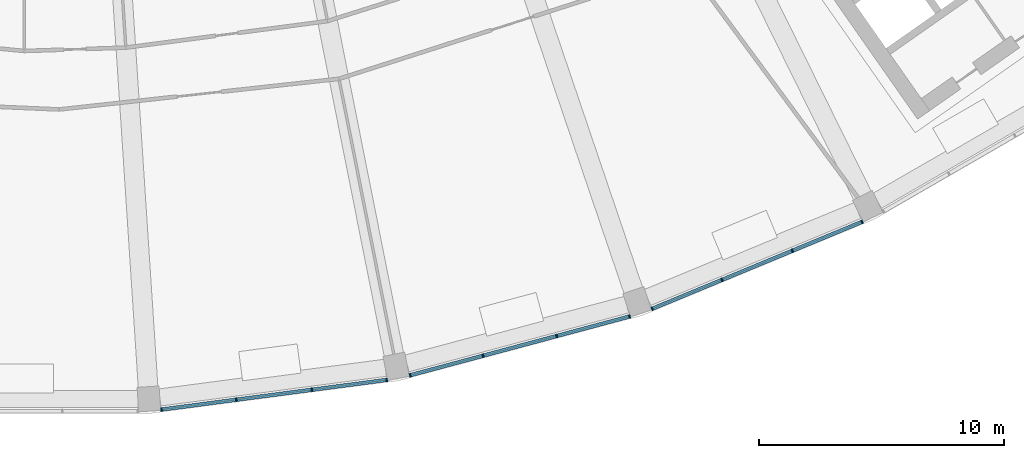
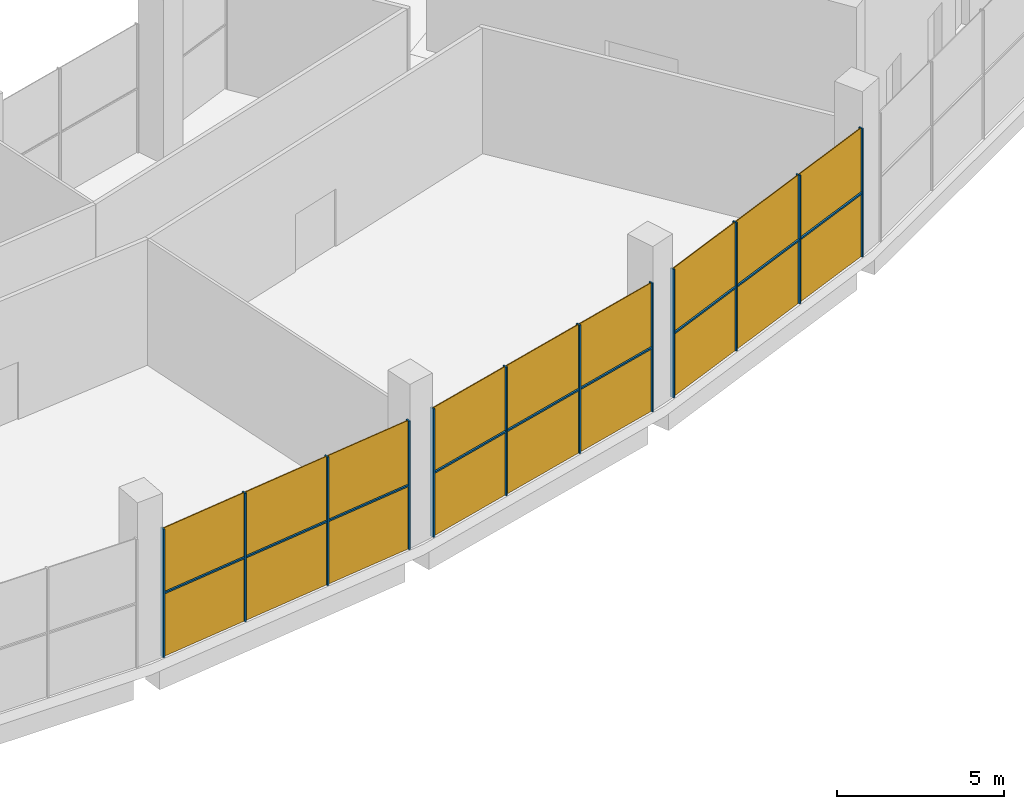
# One storey, part 32 of 41: 21 members, 3 curtain walls.
"""IFC4 building model written with IfcOpenShell, lengths in metres."""

from ifc_helpers import new_model, si_unit, direction, frame, origin, origin_2d, place, context, subcontext, project, spatial, rectangle, extrude, material, material_profile, profile_set, type_object, element, aggregate, save


model = new_model("IFC4")

# Units and contexts
model_context = context("Model", 3, precision=1e-05, world=origin(), true_north=direction((0.0, 1.0)))
body_context = subcontext(model_context, "Body", "Model", "MODEL_VIEW")
ifc_project = project(units=[si_unit("LENGTHUNIT", "METRE"), si_unit("AREAUNIT", "SQUARE_METRE"), si_unit("VOLUMEUNIT", "CUBIC_METRE"), si_unit("PLANEANGLEUNIT", "RADIAN"), si_unit("MASSUNIT", "GRAM", prefix="KILO")], contexts=[model_context])

# Member
ifc_material = material(Name="Aluminium 6063-T6 anodised", Category="aluminium")
ifc_material_profile_1 = material_profile(ifc_material, rectangle(XDim=0.14990234375, YDim=0.050048828125, at=origin_2d()))
ifc_profile_set_1 = profile_set([ifc_material_profile_1], Name="Aluminium 6063-T6 anodised")
member_type_1 = type_object("IfcMemberType", Name="Mullion 50 x 150 aluminium, frameless", PredefinedType="MULLION", material=ifc_profile_set_1)
site_placement = place(None, origin())
building_placement = place(site_placement, origin())
storey_placement = place(building_placement, frame((0.0, 0.0, 284.699951171875)))
member_1_placement = place(storey_placement, frame((5.59716796875, -78.01904296875, 0.0), z_axis=(0.0, 0.0, 1.0), x_axis=(-0.13052619222, 0.991444861374, 0.0)))
member_1 = element("IfcMember", 1, at=member_1_placement, type_object=member_type_1, Name="e-cw3-L69-out08/M00", PredefinedType="MULLION", context=body_context, shape_type="SweptSolid", body=[
    extrude(rectangle(XDim=0.14990234375, YDim=0.050048828125, at=origin_2d()), origin(), (0.0, 0.0, 1.0), 4.699951171875),
])

member_2_placement = place(storey_placement, frame((8.65185546875, -77.616943359375, 0.0), z_axis=(0.0, 0.0, 1.0), x_axis=(-0.13052619222, 0.991444861374, 0.0)))
member_2 = element("IfcMember", 2, at=member_2_placement, type_object=member_type_1, Name="e-cw3-L69-out08/M01", PredefinedType="MULLION", context=body_context, shape_type="SweptSolid", body=[
    extrude(rectangle(XDim=0.14990234375, YDim=0.050048828125, at=origin_2d()), origin(), (0.0, 0.0, 1.0), 4.699951171875),
])

member_3_placement = place(storey_placement, frame((11.731689453125, -77.21142578125, 0.0), z_axis=(0.0, 0.0, 1.0), x_axis=(-0.13052619222, 0.991444861374, 0.0)))
member_3 = element("IfcMember", 3, at=member_3_placement, type_object=member_type_1, Name="e-cw3-L69-out08/M02", PredefinedType="MULLION", context=body_context, shape_type="SweptSolid", body=[
    extrude(rectangle(XDim=0.14990234375, YDim=0.050048828125, at=origin_2d()), origin(), (0.0, 0.0, 1.0), 4.699951171875),
])

member_4_placement = place(storey_placement, frame((14.786376953125, -76.809326171875, 0.0), z_axis=(0.0, 0.0, 1.0), x_axis=(-0.13052619222, 0.991444861374, 0.0)))
member_4 = element("IfcMember", 4, at=member_4_placement, type_object=member_type_1, Name="e-cw3-L69-out08/M03", PredefinedType="MULLION", context=body_context, shape_type="SweptSolid", body=[
    extrude(rectangle(XDim=0.14990234375, YDim=0.050048828125, at=origin_2d()), origin(), (0.0, 0.0, 1.0), 4.699951171875),
])

member_5_placement = place(storey_placement, frame((15.732666015625, -76.62109375, 0.0), z_axis=(0.0, 0.0, 1.0), x_axis=(-0.258819045103, 0.965925826289, 0.0)))
member_5 = element("IfcMember", 5, at=member_5_placement, type_object=member_type_1, Name="e-cw3-L69-out09/M00", PredefinedType="MULLION", context=body_context, shape_type="SweptSolid", body=[
    extrude(rectangle(XDim=0.14990234375, YDim=0.050048828125, at=origin_2d()), origin(), (0.0, 0.0, 1.0), 4.699951171875),
])

member_6_placement = place(storey_placement, frame((18.708984375, -75.82373046875, 0.0), z_axis=(0.0, 0.0, 1.0), x_axis=(-0.258819045103, 0.965925826289, 0.0)))
member_6 = element("IfcMember", 6, at=member_6_placement, type_object=member_type_1, Name="e-cw3-L69-out09/M01", PredefinedType="MULLION", context=body_context, shape_type="SweptSolid", body=[
    extrude(rectangle(XDim=0.14990234375, YDim=0.050048828125, at=origin_2d()), origin(), (0.0, 0.0, 1.0), 4.699951171875),
])

member_7_placement = place(storey_placement, frame((21.70947265625, -75.019775390625, 0.0), z_axis=(0.0, 0.0, 1.0), x_axis=(-0.258819045103, 0.965925826289, 0.0)))
member_7 = element("IfcMember", 7, at=member_7_placement, type_object=member_type_1, Name="e-cw3-L69-out09/M02", PredefinedType="MULLION", context=body_context, shape_type="SweptSolid", body=[
    extrude(rectangle(XDim=0.14990234375, YDim=0.050048828125, at=origin_2d()), origin(), (0.0, 0.0, 1.0), 4.699951171875),
])

member_8_placement = place(storey_placement, frame((24.685546875, -74.22216796875, 0.0), z_axis=(0.0, 0.0, 1.0), x_axis=(-0.258819045103, 0.965925826289, 0.0)))
member_8 = element("IfcMember", 8, at=member_8_placement, type_object=member_type_1, Name="e-cw3-L69-out09/M03", PredefinedType="MULLION", context=body_context, shape_type="SweptSolid", body=[
    extrude(rectangle(XDim=0.14990234375, YDim=0.050048828125, at=origin_2d()), origin(), (0.0, 0.0, 1.0), 4.699951171875),
])

member_9_placement = place(storey_placement, frame((25.59912109375, -73.912109375, 0.0), z_axis=(0.0, 0.0, 1.0), x_axis=(-0.382683432365, 0.923879532511, 0.0)))
member_9 = element("IfcMember", 9, at=member_9_placement, type_object=member_type_1, Name="e-cw3-L69-out10/M00", PredefinedType="MULLION", context=body_context, shape_type="SweptSolid", body=[
    extrude(rectangle(XDim=0.14990234375, YDim=0.050048828125, at=origin_2d()), origin(), (0.0, 0.0, 1.0), 4.699951171875),
])

member_10_placement = place(storey_placement, frame((28.44580078125, -72.73291015625, 0.0), z_axis=(0.0, 0.0, 1.0), x_axis=(-0.382683432365, 0.923879532511, 0.0)))
member_10 = element("IfcMember", 10, at=member_10_placement, type_object=member_type_1, Name="e-cw3-L69-out10/M01", PredefinedType="MULLION", context=body_context, shape_type="SweptSolid", body=[
    extrude(rectangle(XDim=0.14990234375, YDim=0.050048828125, at=origin_2d()), origin(), (0.0, 0.0, 1.0), 4.699951171875),
])

member_11_placement = place(storey_placement, frame((31.315673828125, -71.544189453125, 0.0), z_axis=(0.0, 0.0, 1.0), x_axis=(-0.382683432365, 0.923879532511, 0.0)))
member_11 = element("IfcMember", 11, at=member_11_placement, type_object=member_type_1, Name="e-cw3-L69-out10/M02", PredefinedType="MULLION", context=body_context, shape_type="SweptSolid", body=[
    extrude(rectangle(XDim=0.14990234375, YDim=0.050048828125, at=origin_2d()), origin(), (0.0, 0.0, 1.0), 4.699951171875),
])

member_12_placement = place(storey_placement, frame((34.162353515625, -70.364990234375, 0.0), z_axis=(0.0, 0.0, 1.0), x_axis=(-0.382683432365, 0.923879532511, 0.0)))
member_12 = element("IfcMember", 12, at=member_12_placement, type_object=member_type_1, Name="e-cw3-L69-out10/M03", PredefinedType="MULLION", context=body_context, shape_type="SweptSolid", body=[
    extrude(rectangle(XDim=0.14990234375, YDim=0.050048828125, at=origin_2d()), origin(), (0.0, 0.0, 1.0), 4.699951171875),
])

ifc_material_profile_2 = material_profile(ifc_material, rectangle(XDim=0.14990234375, YDim=0.050048828125, at=origin_2d()))
ifc_profile_set_2 = profile_set([ifc_material_profile_2], Name="Aluminium 6063-T6 anodised")
member_type_2 = type_object("IfcMemberType", Name="Transom 50 x 150 aluminium, frameless", PredefinedType="USERDEFINED", material=ifc_profile_set_2)
member_13_placement = place(storey_placement, frame((5.621826171875, -78.015869140625, 2.35009765625), z_axis=(0.991441132243, 0.130554514652, 0.0), x_axis=(-0.130554514652, 0.991441132243, 0.0)))
member_13 = element("IfcMember", 13, at=member_13_placement, type_object=member_type_2, Name="e-cw3-L69-out08/T00", ObjectType="TRANSOM", PredefinedType="USERDEFINED", context=body_context, shape_type="SweptSolid", body=[
    extrude(rectangle(XDim=0.14990234375, YDim=0.050048828125, at=origin_2d()), origin(), (0.0, 0.0, 1.0), 3.03125),
])

member_14_placement = place(storey_placement, frame((8.6767578125, -77.61376953125, 2.35009765625), z_axis=(0.991444232282, 0.130530970554, 0.0), x_axis=(-0.130530970554, 0.991444232282, 0.0)))
member_14 = element("IfcMember", 14, at=member_14_placement, type_object=member_type_2, Name="e-cw3-L69-out08/T01", ObjectType="TRANSOM", PredefinedType="USERDEFINED", context=body_context, shape_type="SweptSolid", body=[
    extrude(rectangle(XDim=0.14990234375, YDim=0.050048828125, at=origin_2d()), origin(), (0.0, 0.0, 1.0), 3.05615234375),
])

member_15_placement = place(storey_placement, frame((11.75634765625, -77.208251953125, 2.35009765625), z_axis=(0.991441132243, 0.130554514652, 0.0), x_axis=(-0.130554514652, 0.991441132243, 0.0)))
member_15 = element("IfcMember", 15, at=member_15_placement, type_object=member_type_2, Name="e-cw3-L69-out08/T02", ObjectType="TRANSOM", PredefinedType="USERDEFINED", context=body_context, shape_type="SweptSolid", body=[
    extrude(rectangle(XDim=0.14990234375, YDim=0.050048828125, at=origin_2d()), origin(), (0.0, 0.0, 1.0), 3.03125),
])

member_16_placement = place(storey_placement, frame((15.7568359375, -76.61474609375, 2.35009765625), z_axis=(0.965916053379, 0.258855515347, 0.0), x_axis=(-0.258855515347, 0.965916053379, 0.0)))
member_16 = element("IfcMember", 16, at=member_16_placement, type_object=member_type_2, Name="e-cw3-L69-out09/T00", ObjectType="TRANSOM", PredefinedType="USERDEFINED", context=body_context, shape_type="SweptSolid", body=[
    extrude(rectangle(XDim=0.14990234375, YDim=0.050048828125, at=origin_2d()), origin(), (0.0, 0.0, 1.0), 3.03125),
])

member_17_placement = place(storey_placement, frame((18.733154296875, -75.817138671875, 2.35009765625), z_axis=(0.965926657748, 0.258815942036, 0.0), x_axis=(-0.258815942036, 0.965926657748, 0.0)))
member_17 = element("IfcMember", 17, at=member_17_placement, type_object=member_type_2, Name="e-cw3-L69-out09/T01", ObjectType="TRANSOM", PredefinedType="USERDEFINED", context=body_context, shape_type="SweptSolid", body=[
    extrude(rectangle(XDim=0.14990234375, YDim=0.050048828125, at=origin_2d()), origin(), (0.0, 0.0, 1.0), 3.056396484375),
])

member_18_placement = place(storey_placement, frame((21.7333984375, -75.01318359375, 2.35009765625), z_axis=(0.965936188505, 0.258780369688, 0.0), x_axis=(-0.258780369688, 0.965936188505, 0.0)))
member_18 = element("IfcMember", 18, at=member_18_placement, type_object=member_type_2, Name="e-cw3-L69-out09/T02", ObjectType="TRANSOM", PredefinedType="USERDEFINED", context=body_context, shape_type="SweptSolid", body=[
    extrude(rectangle(XDim=0.14990234375, YDim=0.050048828125, at=origin_2d()), origin(), (0.0, 0.0, 1.0), 3.03125),
])

member_19_placement = place(storey_placement, frame((25.622314453125, -73.902587890625, 2.35009765625), z_axis=(0.923863693261, 0.38272166946, 0.0), x_axis=(-0.38272166946, 0.923863693261, 0.0)))
member_19 = element("IfcMember", 19, at=member_19_placement, type_object=member_type_2, Name="e-cw3-L69-out10/T00", ObjectType="TRANSOM", PredefinedType="USERDEFINED", context=body_context, shape_type="SweptSolid", body=[
    extrude(rectangle(XDim=0.14990234375, YDim=0.050048828125, at=origin_2d()), origin(), (0.0, 0.0, 1.0), 3.03125),
])

member_20_placement = place(storey_placement, frame((28.468994140625, -72.723388671875, 2.35009765625), z_axis=(0.923862016386, 0.382725717294, 0.0), x_axis=(-0.382725717294, 0.923862016386, 0.0)))
member_20 = element("IfcMember", 20, at=member_20_placement, type_object=member_type_2, Name="e-cw3-L69-out10/T01", ObjectType="TRANSOM", PredefinedType="USERDEFINED", context=body_context, shape_type="SweptSolid", body=[
    extrude(rectangle(XDim=0.14990234375, YDim=0.050048828125, at=origin_2d()), origin(), (0.0, 0.0, 1.0), 3.05615234375),
])

member_21_placement = place(storey_placement, frame((31.3388671875, -71.53466796875, 2.35009765625), z_axis=(0.923880374326, 0.382681400037, 0.0), x_axis=(-0.382681400037, 0.923880374326, 0.0)))
member_21 = element("IfcMember", 21, at=member_21_placement, type_object=member_type_2, Name="e-cw3-L69-out10/T02", ObjectType="TRANSOM", PredefinedType="USERDEFINED", context=body_context, shape_type="SweptSolid", body=[
    extrude(rectangle(XDim=0.14990234375, YDim=0.050048828125, at=origin_2d()), origin(), (0.0, 0.0, 1.0), 3.031005859375),
])

# Site, building, storey
site = spatial("IfcSite", under=ifc_project, at=site_placement, CompositionType="ELEMENT")
building = spatial("IfcBuilding", under=site, at=building_placement, Name="Qamariyya Broadcast Tower", CompositionType="ELEMENT")
storey = spatial("IfcBuildingStorey", under=building, at=storey_placement, Name="L69", CompositionType="ELEMENT", Elevation=284.699951171875)

# Curtain wall
curtain_wall_type = type_object("IfcCurtainWallType", Name="Observation deck frameless glazing wall", PredefinedType="NOTDEFINED", material=ifc_material)
curtain_wall_1_placement = place(storey_placement, origin())
curtain_wall_1 = element("IfcCurtainWall", 22, at=curtain_wall_1_placement, inside=storey, type_object=curtain_wall_type, Name="e-cw3-L69-out08", PredefinedType="NOTDEFINED", context=body_context, shape_type="SweptSolid", body=[
    extrude(rectangle(XDim=3.03125, YDim=0.031982421875, at=origin_2d()), frame((7.12451171875, -77.818115234375, 0.0), x_axis=(0.991445286748, 0.130522961144, 0.0)), (0.0, 0.0, 1.0), 2.324951171875),
    extrude(rectangle(XDim=3.03125, YDim=0.031982421875, at=origin_2d()), frame((7.12451171875, -77.818115234375, 2.375), x_axis=(0.991445286748, 0.130522961144, 0.0)), (0.0, 0.0, 1.0), 2.324951171875),
    extrude(rectangle(XDim=3.05615234375, YDim=0.031982421875, at=origin_2d()), frame((10.19189453125, -77.414306640625, 0.0), x_axis=(0.991445286748, 0.130522961144, 0.0)), (0.0, 0.0, 1.0), 2.324951171875),
    extrude(rectangle(XDim=3.05615234375, YDim=0.031982421875, at=origin_2d()), frame((10.19189453125, -77.414306640625, 2.375), x_axis=(0.991445286748, 0.130522961144, 0.0)), (0.0, 0.0, 1.0), 2.324951171875),
    extrude(rectangle(XDim=3.03125, YDim=0.031982421875, at=origin_2d()), frame((13.259033203125, -77.010498046875, 0.0), x_axis=(0.991445286748, 0.130522961144, 0.0)), (0.0, 0.0, 1.0), 2.324951171875),
    extrude(rectangle(XDim=3.03125, YDim=0.031982421875, at=origin_2d()), frame((13.259033203125, -77.010498046875, 2.375), x_axis=(0.991445286748, 0.130522961144, 0.0)), (0.0, 0.0, 1.0), 2.324951171875),
])

aggregate(curtain_wall_1, [member_1, member_2, member_3, member_4, member_13, member_14, member_15])

curtain_wall_2_placement = place(storey_placement, origin())
curtain_wall_2 = element("IfcCurtainWall", 23, at=curtain_wall_2_placement, inside=storey, type_object=curtain_wall_type, Name="e-cw3-L69-out09", PredefinedType="NOTDEFINED", context=body_context, shape_type="SweptSolid", body=[
    extrude(rectangle(XDim=3.03125, YDim=0.031982421875, at=origin_2d()), frame((17.220703125, -76.222412109375, 0.0), x_axis=(0.965925949265, 0.258818586151, 0.0)), (0.0, 0.0, 1.0), 2.324951171875),
    extrude(rectangle(XDim=3.03125, YDim=0.031982421875, at=origin_2d()), frame((17.220703125, -76.222412109375, 2.375), x_axis=(0.965925949265, 0.258818586151, 0.0)), (0.0, 0.0, 1.0), 2.324951171875),
    extrude(rectangle(XDim=3.05615234375, YDim=0.031982421875, at=origin_2d()), frame((20.208984375, -75.421875, 0.0), x_axis=(0.965925949265, 0.258818586151, 0.0)), (0.0, 0.0, 1.0), 2.324951171875),
    extrude(rectangle(XDim=3.05615234375, YDim=0.031982421875, at=origin_2d()), frame((20.208984375, -75.421875, 2.375), x_axis=(0.965925949265, 0.258818586151, 0.0)), (0.0, 0.0, 1.0), 2.324951171875),
    extrude(rectangle(XDim=3.03125, YDim=0.031982421875, at=origin_2d()), frame((23.197509765625, -74.62109375, 0.0), x_axis=(0.965925949265, 0.258818586151, 0.0)), (0.0, 0.0, 1.0), 2.324951171875),
    extrude(rectangle(XDim=3.03125, YDim=0.031982421875, at=origin_2d()), frame((23.197509765625, -74.62109375, 2.375), x_axis=(0.965925949265, 0.258818586151, 0.0)), (0.0, 0.0, 1.0), 2.324951171875),
])

aggregate(curtain_wall_2, [member_5, member_6, member_7, member_8, member_16, member_17, member_18])

curtain_wall_3_placement = place(storey_placement, origin())
curtain_wall_3 = element("IfcCurtainWall", 24, at=curtain_wall_3_placement, inside=storey, type_object=curtain_wall_type, Name="e-cw3-L69-out10", PredefinedType="NOTDEFINED", context=body_context, shape_type="SweptSolid", body=[
    extrude(rectangle(XDim=3.03125, YDim=0.031982421875, at=origin_2d()), frame((27.022705078125, -73.322509765625, 0.0), x_axis=(0.923877930643, 0.382687299595, 0.0)), (0.0, 0.0, 1.0), 2.324951171875),
    extrude(rectangle(XDim=3.03125, YDim=0.031982421875, at=origin_2d()), frame((27.022705078125, -73.322509765625, 2.375), x_axis=(0.923877930643, 0.382687299595, 0.0)), (0.0, 0.0, 1.0), 2.324951171875),
    extrude(rectangle(XDim=3.05615234375, YDim=0.031982421875, at=origin_2d()), frame((29.880859375, -72.138671875, 0.0), x_axis=(0.923877930643, 0.382687299595, 0.0)), (0.0, 0.0, 1.0), 2.324951171875),
    extrude(rectangle(XDim=3.05615234375, YDim=0.031982421875, at=origin_2d()), frame((29.880859375, -72.138671875, 2.375), x_axis=(0.923877930643, 0.382687299595, 0.0)), (0.0, 0.0, 1.0), 2.324951171875),
    extrude(rectangle(XDim=3.03125, YDim=0.031982421875, at=origin_2d()), frame((32.739013671875, -70.95458984375, 0.0), x_axis=(0.923877930643, 0.382687299595, 0.0)), (0.0, 0.0, 1.0), 2.324951171875),
    extrude(rectangle(XDim=3.03125, YDim=0.031982421875, at=origin_2d()), frame((32.739013671875, -70.95458984375, 2.375), x_axis=(0.923877930643, 0.382687299595, 0.0)), (0.0, 0.0, 1.0), 2.324951171875),
])

aggregate(curtain_wall_3, [member_9, member_10, member_11, member_12, member_19, member_20, member_21])

save(model, "model.ifc")
